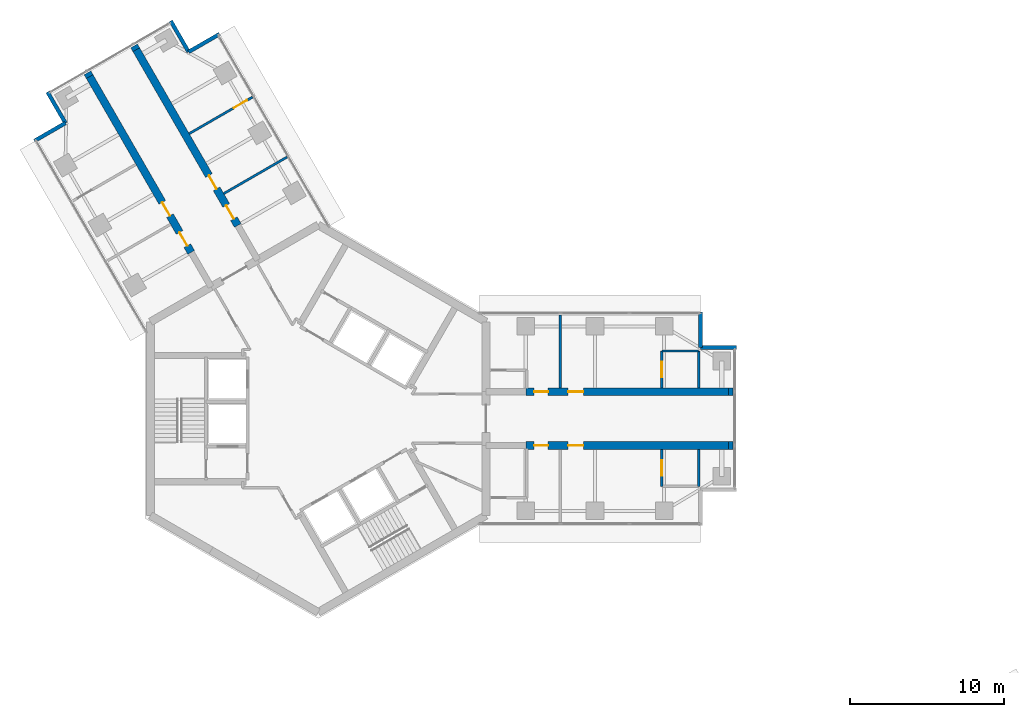
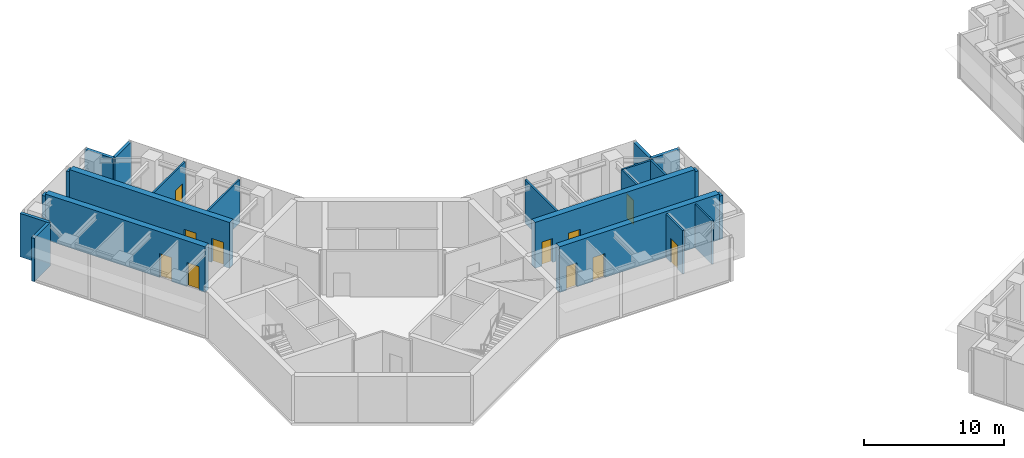
# One storey, part 13 of 17: 22 walls, 11 doors, 11 openings.
"""IFC4 building model written with IfcOpenShell, lengths in metres."""

from ifc_helpers import new_model, si_unit, direction, frame, frame_2d, origin, place, context, subcontext, project, spatial, rectangle, extrude, material, layer, layer_set, type_object, element, fill, save


model = new_model("IFC4")

# Units and contexts
model_context = context("Model", 3, precision=1e-05, world=origin(), true_north=direction((0.0, 1.0)))
body_context = subcontext(model_context, "Body", "Model", "MODEL_VIEW")
ifc_project = project(units=[si_unit("LENGTHUNIT", "METRE"), si_unit("AREAUNIT", "SQUARE_METRE"), si_unit("VOLUMEUNIT", "CUBIC_METRE"), si_unit("PLANEANGLEUNIT", "RADIAN"), si_unit("MASSUNIT", "GRAM", prefix="KILO")], contexts=[model_context])

# Site, building, storey
site_placement = place(None, origin())
site = spatial("IfcSite", under=ifc_project, at=site_placement, CompositionType="ELEMENT")
building_placement = place(site_placement, origin())
building = spatial("IfcBuilding", under=site, at=building_placement, Name="Upepo Twin Towers", CompositionType="ELEMENT")
storey_placement = place(building_placement, frame((0.0, 0.0, 194.5)))
storey = spatial("IfcBuildingStorey", under=building, at=storey_placement, Name="L47", CompositionType="ELEMENT", Elevation=194.5)

# Walls
ifc_material_1 = material(Name="Dense concrete blockwork", Category="masonry")
ifc_layer_1 = layer(ifc_material_1, 0.5)
ifc_layer_set_1 = layer_set([ifc_layer_1], Name="Buttress closer 500, blockwork with fire-stopping to the curtain wall")
wall_type_1 = type_object("IfcWallType", Name="Buttress closer 500, blockwork with fire-stopping to the curtain wall", PredefinedType="PARTITIONING", material=ifc_layer_set_1)
for number, where, z_axis, x_axis, name in (
    (1, (26.699951171875, 1.75, 0.0), (0.0, 0.0, 1.0), (1.0, 0.0, 0.0), "T1 L47 wing A buttress closer L"),
    (2, (26.699951171875, -1.75, 0.0), (0.0, 0.0, 1.0), (1.0, 0.0, 0.0), "T1 L47 wing A buttress closer R"),
    (3, (-14.865478515625, 22.247802734375, 0.0), (0.0, 0.0, 1.0), (-0.500065409566, 0.86598763626, 0.0), "T1 L47 wing B buttress closer L"),
    (4, (-11.83447265625, 23.997802734375, 0.0), (0.0, 0.0, 1.0), (-0.500065409566, 0.86598763626, 0.0), "T1 L47 wing B buttress closer R"),
):
    element("IfcWall", number, at=place(storey_placement, frame(where, z_axis=z_axis, x_axis=x_axis)), inside=storey, type_object=wall_type_1, Name=name, PredefinedType="PARTITIONING", context=body_context, shape_type="SweptSolid", body=[
        extrude(rectangle(XDim=0.28759765625, YDim=0.5, at=frame_2d((0.143798828125, 0.0))), origin(), (0.0, 0.0, 1.0), 3.800048828125),
    ])

# Wall, openings, doors
ifc_material_2 = material(Name="Concrete C60/75", Category="concrete")
ifc_layer_2 = layer(ifc_material_2, 0.5)
ifc_layer_set_2 = layer_set([ifc_layer_2], Name="Concrete C60/75")
wall_type_2 = type_object("IfcWallType", Name="Buttress wall 500 RC", PredefinedType="SHEAR", material=ifc_layer_set_2)
wall_1_placement = place(storey_placement, frame((13.5, 1.75, 0.0), z_axis=(0.0, 0.0, 1.0), x_axis=(1.0, 0.0, 0.0)))
wall_1 = element("IfcWall", 5, at=wall_1_placement, inside=storey, type_object=wall_type_2, Name="T1 wing A buttress wall L part 2", PredefinedType="SHEAR", context=body_context, shape_type="SweptSolid", body=[
    extrude(rectangle(XDim=13.199951171875, YDim=0.5, at=frame_2d((6.60009765625, 0.0))), origin(), (0.0, 0.0, 1.0), 4.0),
])
opening_1_placement = place(wall_1_placement, frame((0.550048828125, 0.0, 0.0)))
opening_1 = element("IfcOpeningElement", 6, at=opening_1_placement, cuts=wall_1, Name="Opening D11", PredefinedType="OPENING", context=body_context, shape_type="SweptSolid", body=[
    extrude(rectangle(XDim=0.89990234375, YDim=2.10009765625, at=frame_2d((0.449951171875, 1.050048828125))), frame((0.0, 0.260009765625, 0.0), z_axis=(0.0, -1.0, 0.0), x_axis=(1.0, 0.0, 0.0)), (0.0, 0.0, 1.0), 0.52001953125),
])
opening_2_placement = place(wall_1_placement, frame((2.75, 0.0, 0.0)))
opening_2 = element("IfcOpeningElement", 7, at=opening_2_placement, cuts=wall_1, Name="Opening D1", PredefinedType="OPENING", context=body_context, shape_type="SweptSolid", body=[
    extrude(rectangle(XDim=1.0, YDim=2.10009765625, at=frame_2d((0.5, 1.050048828125))), frame((0.0, 0.260009765625, 0.0), z_axis=(0.0, -1.0, 0.0), x_axis=(1.0, 0.0, 0.0)), (0.0, 0.0, 1.0), 0.52001953125),
])
ifc_material_3 = material(Name="Timber doorset", Category="wood")
door_type_1 = type_object("IfcDoorType", Name="Room door 1000 FD30", OperationType="SINGLE_SWING_LEFT", PredefinedType="DOOR", material=ifc_material_3)
door_1_placement = place(opening_2_placement, origin())
door_1 = element("IfcDoor", 8, at=door_1_placement, inside=storey, type_object=door_type_1, Name="T1 L47 engineering studio door", OperationType="SINGLE_SWING_LEFT", OverallHeight=2.10009765625, OverallWidth=1.0, PredefinedType="DOOR", context=body_context, shape_type="SweptSolid", body=[
    extrude(rectangle(XDim=1.0, YDim=2.10009765625, at=frame_2d((0.5, 1.050048828125))), frame((0.0, 0.02490234375, 0.0), z_axis=(0.0, -1.0, 0.0), x_axis=(1.0, 0.0, 0.0)), (0.0, 0.0, 1.0), 0.050048828125),
])
fill(opening_2, door_1)
ifc_material_4 = material(Name="Timber doorset", Category="wood")
door_type_2 = type_object("IfcDoorType", Name="Toilet door 900", OperationType="SINGLE_SWING_LEFT", PredefinedType="DOOR", material=ifc_material_4)
door_2_placement = place(opening_1_placement, origin())
door_2 = element("IfcDoor", 9, at=door_2_placement, inside=storey, type_object=door_type_2, Name="T1 L47 toilets door", OperationType="SINGLE_SWING_LEFT", OverallHeight=2.10009765625, OverallWidth=0.89990234375, PredefinedType="DOOR", context=body_context, shape_type="SweptSolid", body=[
    extrude(rectangle(XDim=0.89990234375, YDim=2.10009765625, at=frame_2d((0.449951171875, 1.050048828125))), frame((0.0, 0.02490234375, 0.0), z_axis=(0.0, -1.0, 0.0), x_axis=(1.0, 0.0, 0.0)), (0.0, 0.0, 1.0), 0.050048828125),
])
fill(opening_1, door_2)

wall_2_placement = place(storey_placement, frame((13.5, -1.75, 0.0), z_axis=(0.0, 0.0, 1.0), x_axis=(1.0, 0.0, 0.0)))
wall_2 = element("IfcWall", 10, at=wall_2_placement, inside=storey, type_object=wall_type_2, Name="T1 wing A buttress wall R part 2", PredefinedType="SHEAR", context=body_context, shape_type="SweptSolid", body=[
    extrude(rectangle(XDim=13.199951171875, YDim=0.5, at=frame_2d((6.60009765625, 0.0))), origin(), (0.0, 0.0, 1.0), 4.0),
])
opening_3_placement = place(wall_2_placement, frame((0.550048828125, 0.0, 0.0)))
opening_3 = element("IfcOpeningElement", 11, at=opening_3_placement, cuts=wall_2, Name="Opening D11", PredefinedType="OPENING", context=body_context, shape_type="SweptSolid", body=[
    extrude(rectangle(XDim=0.89990234375, YDim=2.10009765625, at=frame_2d((0.449951171875, 1.050048828125))), frame((0.0, 0.260009765625, 0.0), z_axis=(0.0, -1.0, 0.0), x_axis=(1.0, 0.0, 0.0)), (0.0, 0.0, 1.0), 0.52001953125),
])
opening_4_placement = place(wall_2_placement, frame((2.75, 0.0, 0.0)))
opening_4 = element("IfcOpeningElement", 12, at=opening_4_placement, cuts=wall_2, Name="Opening D1", PredefinedType="OPENING", context=body_context, shape_type="SweptSolid", body=[
    extrude(rectangle(XDim=1.0, YDim=2.10009765625, at=frame_2d((0.5, 1.050048828125))), frame((0.0, 0.260009765625, 0.0), z_axis=(0.0, -1.0, 0.0), x_axis=(1.0, 0.0, 0.0)), (0.0, 0.0, 1.0), 0.52001953125),
])
door_3_placement = place(opening_4_placement, origin())
door_3 = element("IfcDoor", 13, at=door_3_placement, inside=storey, type_object=door_type_1, Name="T1 L47 engineering studio door", OperationType="SINGLE_SWING_LEFT", OverallHeight=2.10009765625, OverallWidth=1.0, PredefinedType="DOOR", context=body_context, shape_type="SweptSolid", body=[
    extrude(rectangle(XDim=1.0, YDim=2.10009765625, at=frame_2d((0.5, 1.050048828125))), frame((0.0, 0.02490234375, 0.0), z_axis=(0.0, -1.0, 0.0), x_axis=(1.0, 0.0, 0.0)), (0.0, 0.0, 1.0), 0.050048828125),
])
fill(opening_4, door_3)
door_4_placement = place(opening_3_placement, origin())
door_4 = element("IfcDoor", 14, at=door_4_placement, inside=storey, type_object=door_type_2, Name="T1 L47 accessible wc door", OperationType="SINGLE_SWING_LEFT", OverallHeight=2.10009765625, OverallWidth=0.89990234375, PredefinedType="DOOR", context=body_context, shape_type="SweptSolid", body=[
    extrude(rectangle(XDim=0.89990234375, YDim=2.10009765625, at=frame_2d((0.449951171875, 1.050048828125))), frame((0.0, 0.02490234375, 0.0), z_axis=(0.0, -1.0, 0.0), x_axis=(1.0, 0.0, 0.0)), (0.0, 0.0, 1.0), 0.050048828125),
])
fill(opening_3, door_4)

wall_3_placement = place(storey_placement, frame((-8.265625, 10.81640625, 0.0), z_axis=(0.0, 0.0, 1.0), x_axis=(-0.499996231654, 0.866027579429, 0.0)))
wall_3 = element("IfcWall", 15, at=wall_3_placement, inside=storey, type_object=wall_type_2, Name="T1 wing B buttress wall L part 2", PredefinedType="SHEAR", context=body_context, shape_type="SweptSolid", body=[
    extrude(rectangle(XDim=13.19970703125, YDim=0.5, at=frame_2d((6.599853515625, 0.0))), origin(), (0.0, 0.0, 1.0), 4.0),
])
opening_5_placement = place(wall_3_placement, frame((0.5, 0.0, 0.0)))
opening_5 = element("IfcOpeningElement", 16, at=opening_5_placement, cuts=wall_3, Name="Opening D1", PredefinedType="OPENING", context=body_context, shape_type="SweptSolid", body=[
    extrude(rectangle(XDim=1.0, YDim=2.10009765625, at=frame_2d((0.5, 1.050048828125))), frame((0.0, 0.260009765625, 0.0), z_axis=(0.0, -1.0, 0.0), x_axis=(1.0, 0.0, 0.0)), (0.0, 0.0, 1.0), 0.52001953125),
])
opening_6_placement = place(wall_3_placement, frame((2.75, 0.0, 0.0)))
opening_6 = element("IfcOpeningElement", 17, at=opening_6_placement, cuts=wall_3, Name="Opening D1", PredefinedType="OPENING", context=body_context, shape_type="SweptSolid", body=[
    extrude(rectangle(XDim=1.0, YDim=2.10009765625, at=frame_2d((0.5, 1.050048828125))), frame((0.0, 0.260009765625, 0.0), z_axis=(0.0, -1.0, 0.0), x_axis=(1.0, 0.0, 0.0)), (0.0, 0.0, 1.0), 0.52001953125),
])
door_5_placement = place(opening_5_placement, origin())
door_5 = element("IfcDoor", 18, at=door_5_placement, inside=storey, type_object=door_type_1, Name="T1 L47 seminar room door", OperationType="SINGLE_SWING_LEFT", OverallHeight=2.10009765625, OverallWidth=1.0, PredefinedType="DOOR", context=body_context, shape_type="SweptSolid", body=[
    extrude(rectangle(XDim=1.0, YDim=2.10009765625, at=frame_2d((0.5, 1.050048828125))), frame((0.0, 0.02490234375, 0.0), z_axis=(0.0, -1.0, 0.0), x_axis=(1.0, 0.0, 0.0)), (0.0, 0.0, 1.0), 0.050048828125),
])
fill(opening_5, door_5)
door_6_placement = place(opening_6_placement, origin())
door_6 = element("IfcDoor", 19, at=door_6_placement, inside=storey, type_object=door_type_1, Name="T1 L47 staff office door", OperationType="SINGLE_SWING_LEFT", OverallHeight=2.10009765625, OverallWidth=1.0, PredefinedType="DOOR", context=body_context, shape_type="SweptSolid", body=[
    extrude(rectangle(XDim=1.0, YDim=2.10009765625, at=frame_2d((0.5, 1.050048828125))), frame((0.0, 0.02490234375, 0.0), z_axis=(0.0, -1.0, 0.0), x_axis=(1.0, 0.0, 0.0)), (0.0, 0.0, 1.0), 0.050048828125),
])
fill(opening_6, door_6)

wall_4_placement = place(storey_placement, frame((-5.234375, 12.56640625, 0.0), z_axis=(0.0, 0.0, 1.0), x_axis=(-0.500010103361, 0.866019570528, 0.0)))
wall_4 = element("IfcWall", 20, at=wall_4_placement, inside=storey, type_object=wall_type_2, Name="T1 wing B buttress wall R part 2", PredefinedType="SHEAR", context=body_context, shape_type="SweptSolid", body=[
    extrude(rectangle(XDim=13.199951171875, YDim=0.5, at=frame_2d((6.60009765625, 0.0))), origin(), (0.0, 0.0, 1.0), 4.0),
])
opening_7_placement = place(wall_4_placement, frame((0.5, 0.0, 0.0)))
opening_7 = element("IfcOpeningElement", 21, at=opening_7_placement, cuts=wall_4, Name="Opening D1", PredefinedType="OPENING", context=body_context, shape_type="SweptSolid", body=[
    extrude(rectangle(XDim=1.0, YDim=2.10009765625, at=frame_2d((0.5, 1.050048828125))), frame((0.0, 0.260009765625, 0.0), z_axis=(0.0, -1.0, 0.0), x_axis=(1.0, 0.0, 0.0)), (0.0, 0.0, 1.0), 0.52001953125),
])
opening_8_placement = place(wall_4_placement, frame((2.75, 0.0, 0.0)))
opening_8 = element("IfcOpeningElement", 22, at=opening_8_placement, cuts=wall_4, Name="Opening D1", PredefinedType="OPENING", context=body_context, shape_type="SweptSolid", body=[
    extrude(rectangle(XDim=1.0, YDim=2.10009765625, at=frame_2d((0.5, 1.050048828125))), frame((0.0, 0.260009765625, 0.0), z_axis=(0.0, -1.0, 0.0), x_axis=(1.0, 0.0, 0.0)), (0.0, 0.0, 1.0), 0.52001953125),
])
door_7_placement = place(opening_7_placement, origin())
door_7 = element("IfcDoor", 23, at=door_7_placement, inside=storey, type_object=door_type_1, Name="T1 L47 computing laboratory door", OperationType="SINGLE_SWING_LEFT", OverallHeight=2.10009765625, OverallWidth=1.0, PredefinedType="DOOR", context=body_context, shape_type="SweptSolid", body=[
    extrude(rectangle(XDim=1.0, YDim=2.10009765625, at=frame_2d((0.5, 1.050048828125))), frame((0.0, 0.02490234375, 0.0), z_axis=(0.0, -1.0, 0.0), x_axis=(1.0, 0.0, 0.0)), (0.0, 0.0, 1.0), 0.050048828125),
])
fill(opening_7, door_7)
door_8_placement = place(opening_8_placement, origin())
door_8 = element("IfcDoor", 24, at=door_8_placement, inside=storey, type_object=door_type_1, Name="T1 L47 seminar room door", OperationType="SINGLE_SWING_LEFT", OverallHeight=2.10009765625, OverallWidth=1.0, PredefinedType="DOOR", context=body_context, shape_type="SweptSolid", body=[
    extrude(rectangle(XDim=1.0, YDim=2.10009765625, at=frame_2d((0.5, 1.050048828125))), frame((0.0, 0.02490234375, 0.0), z_axis=(0.0, -1.0, 0.0), x_axis=(1.0, 0.0, 0.0)), (0.0, 0.0, 1.0), 0.050048828125),
])
fill(opening_8, door_8)

# Walls
ifc_material_5 = material(Name="Blockwork with anodised aluminium cladding", Category="masonry")
ifc_layer_3 = layer(ifc_material_5, 0.25)
ifc_layer_set_3 = layer_set([ifc_layer_3], Name="Notch cladding wall 250, pale metal")
wall_type_3 = type_object("IfcWallType", Name="Notch cladding wall 250, pale metal", PredefinedType="STANDARD", material=ifc_layer_set_3)
for number, where, z_axis, x_axis, name in (
    (25, (24.875, 6.949951171875, 0.0), (0.0, 0.0, 1.0), (0.0, -1.0, 0.0), "T1 L47 wing A notch wall L1"),
    (26, (24.875, 4.625, 0.0), (0.0, 0.0, 1.0), (1.0, 0.0, 0.0), "T1 L47 wing A notch wall L2"),
    (27, (-18.456298828125, 18.0673828125, 0.0), (0.0, 0.0, 1.0), (0.865998469481, 0.500046648681, 0.0), "T1 L47 wing B notch wall L1"),
    (28, (-16.44287109375, 19.22998046875, 0.0), (0.0, 0.0, 1.0), (-0.500046648681, 0.865998469481, 0.0), "T1 L47 wing B notch wall L2"),
    (29, (-6.418701171875, 25.017333984375, 0.0), (0.0, 0.0, 1.0), (-0.866043940782, -0.499967891604, 0.0), "T1 L47 wing B notch wall R1"),
    (30, (-8.43212890625, 23.85498046875, 0.0), (0.0, 0.0, 1.0), (-0.500046648681, 0.865998469481, 0.0), "T1 L47 wing B notch wall R2"),
):
    element("IfcWall", number, at=place(storey_placement, frame(where, z_axis=z_axis, x_axis=x_axis)), inside=storey, type_object=wall_type_3, Name=name, PredefinedType="STANDARD", context=body_context, shape_type="SweptSolid", body=[
        extrude(rectangle(XDim=2.324951171875, YDim=0.25, at=frame_2d((1.16259765625, 0.0))), origin(), (0.0, 0.0, 1.0), 3.800048828125),
    ])
ifc_material_6 = material(Name="Gypsum board on steel studs", Category="steel")
ifc_layer_4 = layer(ifc_material_6, 0.14990234375)
ifc_layer_set_4 = layer_set([ifc_layer_4], Name="Teaching partition 150 acoustic")
wall_type_4 = type_object("IfcWallType", Name="Teaching partition 150 acoustic", PredefinedType="PARTITIONING", material=ifc_layer_set_4)
wall_5_placement = place(storey_placement, frame((15.75, 2.0, 0.0), z_axis=(0.0, 0.0, 1.0), x_axis=(0.0, 1.0, 0.0)))
element("IfcWall", 31, at=wall_5_placement, inside=storey, type_object=wall_type_4, Name="T1 partition AL at 15.75", PredefinedType="PARTITIONING", context=body_context, shape_type="SweptSolid", body=[
    extrude(rectangle(XDim=4.75, YDim=0.14990234375, at=frame_2d((2.375, 0.0))), origin(), (0.0, 0.0, 1.0), 3.800048828125),
])
wall_6_placement = place(storey_placement, frame((22.35009765625, 4.39990234375, 0.0), z_axis=(0.0, 0.0, 1.0), x_axis=(1.0, 0.0, 0.0)))
element("IfcWall", 32, at=wall_6_placement, inside=storey, type_object=wall_type_4, Name="T1 inner room partition AL at 22.35", PredefinedType="PARTITIONING", context=body_context, shape_type="SweptSolid", body=[
    extrude(rectangle(XDim=2.39990234375, YDim=0.14990234375, at=frame_2d((1.199951171875, 0.0))), origin(), (0.0, 0.0, 1.0), 3.800048828125),
])

# Wall, opening, door
wall_7_placement = place(storey_placement, frame((22.35009765625, 2.0, 0.0), z_axis=(0.0, 0.0, 1.0), x_axis=(0.0, 1.0, 0.0)))
wall_7 = element("IfcWall", 33, at=wall_7_placement, inside=storey, type_object=wall_type_4, Name="T1 inner room partition AL end at 22.35", PredefinedType="PARTITIONING", context=body_context, shape_type="SweptSolid", body=[
    extrude(rectangle(XDim=2.39990234375, YDim=0.14990234375, at=frame_2d((1.199951171875, 0.0))), origin(), (0.0, 0.0, 1.0), 3.800048828125),
])
opening_9_placement = place(wall_7_placement, frame((0.699951171875, 0.0, 0.0)))
opening_9 = element("IfcOpeningElement", 34, at=opening_9_placement, cuts=wall_7, Name="Opening D1", PredefinedType="OPENING", context=body_context, shape_type="SweptSolid", body=[
    extrude(rectangle(XDim=1.0, YDim=2.10009765625, at=frame_2d((0.5, 1.050048828125))), frame((0.0, 0.0849609375, 0.0), z_axis=(0.0, -1.0, 0.0), x_axis=(1.0, 0.0, 0.0)), (0.0, 0.0, 1.0), 0.169921875),
])
door_9_placement = place(opening_9_placement, origin())
door_9 = element("IfcDoor", 35, at=door_9_placement, inside=storey, type_object=door_type_1, Name="T1 L47 inner room door", OperationType="SINGLE_SWING_LEFT", OverallHeight=2.10009765625, OverallWidth=1.0, PredefinedType="DOOR", context=body_context, shape_type="SweptSolid", body=[
    extrude(rectangle(XDim=1.0, YDim=2.10009765625, at=frame_2d((0.5, 1.050048828125))), frame((0.0, 0.02490234375, 0.0), z_axis=(0.0, -1.0, 0.0), x_axis=(1.0, 0.0, 0.0)), (0.0, 0.0, 1.0), 0.050048828125),
])
fill(opening_9, door_9)

# Wall
wall_8_placement = place(storey_placement, frame((24.75, 2.0, 0.0), z_axis=(0.0, 0.0, 1.0), x_axis=(0.0, 1.0, 0.0)))
element("IfcWall", 36, at=wall_8_placement, inside=storey, type_object=wall_type_4, Name="T1 inner room partition AL end at 24.75", PredefinedType="PARTITIONING", context=body_context, shape_type="SweptSolid", body=[
    extrude(rectangle(XDim=2.39990234375, YDim=0.14990234375, at=frame_2d((1.199951171875, 0.0))), origin(), (0.0, 0.0, 1.0), 3.800048828125),
])

# Wall, opening, door
wall_9_placement = place(storey_placement, frame((22.35009765625, -2.0, 0.0), z_axis=(0.0, 0.0, 1.0), x_axis=(0.0, -1.0, 0.0)))
wall_9 = element("IfcWall", 37, at=wall_9_placement, inside=storey, type_object=wall_type_4, Name="T1 inner room partition AR end at 22.35", PredefinedType="PARTITIONING", context=body_context, shape_type="SweptSolid", body=[
    extrude(rectangle(XDim=2.39990234375, YDim=0.14990234375, at=frame_2d((1.199951171875, 0.0))), origin(), (0.0, 0.0, 1.0), 3.800048828125),
])
opening_10_placement = place(wall_9_placement, frame((0.699951171875, 0.0, 0.0)))
opening_10 = element("IfcOpeningElement", 38, at=opening_10_placement, cuts=wall_9, Name="Opening D1", PredefinedType="OPENING", context=body_context, shape_type="SweptSolid", body=[
    extrude(rectangle(XDim=1.0, YDim=2.10009765625, at=frame_2d((0.5, 1.050048828125))), frame((0.0, 0.0849609375, 0.0), z_axis=(0.0, -1.0, 0.0), x_axis=(1.0, 0.0, 0.0)), (0.0, 0.0, 1.0), 0.169921875),
])
door_10_placement = place(opening_10_placement, origin())
door_10 = element("IfcDoor", 39, at=door_10_placement, inside=storey, type_object=door_type_1, Name="T1 L47 inner room door", OperationType="SINGLE_SWING_LEFT", OverallHeight=2.10009765625, OverallWidth=1.0, PredefinedType="DOOR", context=body_context, shape_type="SweptSolid", body=[
    extrude(rectangle(XDim=1.0, YDim=2.10009765625, at=frame_2d((0.5, 1.050048828125))), frame((0.0, 0.02490234375, 0.0), z_axis=(0.0, -1.0, 0.0), x_axis=(1.0, 0.0, 0.0)), (0.0, 0.0, 1.0), 0.050048828125),
])
fill(opening_10, door_10)

# Walls
wall_10_placement = place(storey_placement, frame((24.75, -2.0, 0.0), z_axis=(0.0, 0.0, 1.0), x_axis=(0.0, -1.0, 0.0)))
element("IfcWall", 40, at=wall_10_placement, inside=storey, type_object=wall_type_4, Name="T1 inner room partition AR end at 24.75", PredefinedType="PARTITIONING", context=body_context, shape_type="SweptSolid", body=[
    extrude(rectangle(XDim=2.39990234375, YDim=0.14990234375, at=frame_2d((1.199951171875, 0.0))), origin(), (0.0, 0.0, 1.0), 3.800048828125),
])
wall_11_placement = place(storey_placement, frame((-6.14306640625, 14.639892578125, 0.0), z_axis=(0.0, 0.0, 1.0), x_axis=(0.866033238375, 0.499986429846, 0.0)))
element("IfcWall", 41, at=wall_11_placement, inside=storey, type_object=wall_type_4, Name="T1 partition BR at 15.75", PredefinedType="PARTITIONING", context=body_context, shape_type="SweptSolid", body=[
    extrude(rectangle(XDim=4.750244140625, YDim=0.14990234375, at=frame_2d((2.375, 0.0))), origin(), (0.0, 0.0, 1.0), 3.800048828125),
])

# Wall, opening, door
wall_12_placement = place(storey_placement, frame((-8.39306640625, 18.537109375, 0.0), z_axis=(0.0, 0.0, 1.0), x_axis=(0.866033238375, 0.499986429846, 0.0)))
wall_12 = element("IfcWall", 42, at=wall_12_placement, inside=storey, type_object=wall_type_4, Name="T1 partition BR at 20.25", PredefinedType="PARTITIONING", context=body_context, shape_type="SweptSolid", body=[
    extrude(rectangle(XDim=4.750244140625, YDim=0.14990234375, at=frame_2d((2.375, 0.0))), origin(), (0.0, 0.0, 1.0), 3.800048828125),
])
opening_11_placement = place(wall_12_placement, frame((3.35009765625, 0.0, 0.0)))
opening_11 = element("IfcOpeningElement", 43, at=opening_11_placement, cuts=wall_12, Name="Opening D1", PredefinedType="OPENING", context=body_context, shape_type="SweptSolid", body=[
    extrude(rectangle(XDim=1.0, YDim=2.10009765625, at=frame_2d((0.5, 1.050048828125))), frame((0.0, 0.0849609375, 0.0), z_axis=(0.0, -1.0, 0.0), x_axis=(1.0, 0.0, 0.0)), (0.0, 0.0, 1.0), 0.169921875),
])
door_11_placement = place(opening_11_placement, origin())
door_11 = element("IfcDoor", 44, at=door_11_placement, inside=storey, type_object=door_type_1, Name="T1 L47 connecting door", OperationType="SINGLE_SWING_RIGHT", OverallHeight=2.10009765625, OverallWidth=1.0, PredefinedType="DOOR", context=body_context, shape_type="SweptSolid", body=[
    extrude(rectangle(XDim=1.0, YDim=2.10009765625, at=frame_2d((0.5, 1.050048828125))), frame((0.0, 0.02490234375, 0.0), z_axis=(0.0, -1.0, 0.0), x_axis=(1.0, 0.0, 0.0)), (0.0, 0.0, 1.0), 0.050048828125),
])
fill(opening_11, door_11)

save(model, "model.ifc")
